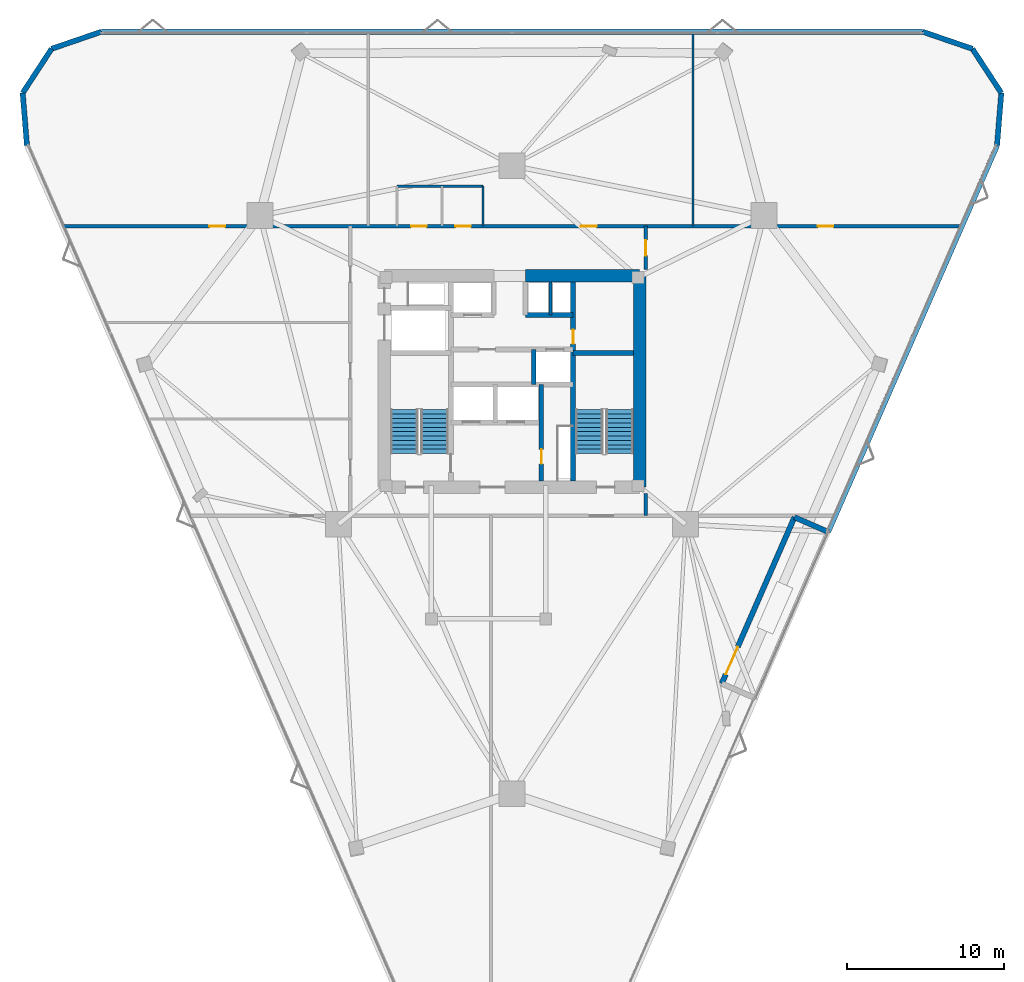
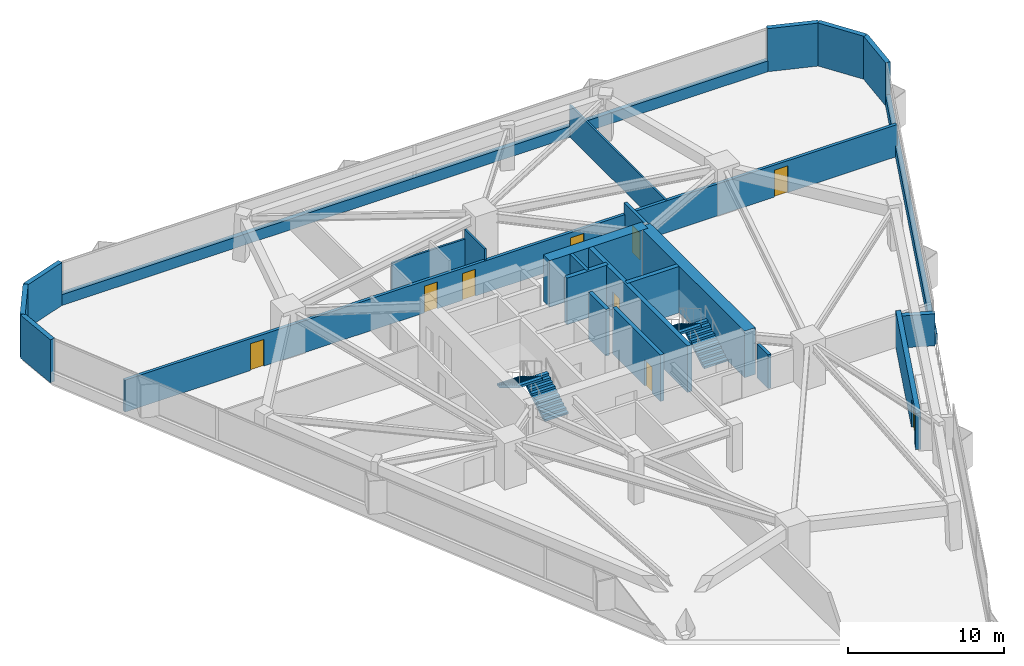
# One storey, part 13 of 14: 24 walls, 9 doors, 4 stair flights, 9 openings, 2 elements without a shape of their own.
"""IFC4 building model written with IfcOpenShell, lengths in metres."""

from ifc_helpers import new_model, si_unit, direction, frame, frame_2d, origin, place, context, subcontext, project, spatial, polyline, rectangle, outline, extrude, material, layer, layer_set, type_object, element, fill, aggregate, save


model = new_model("IFC4")

# Units and contexts
model_context = context("Model", 3, precision=1e-05, world=origin(), true_north=direction((0.0, 1.0)))
body_context = subcontext(model_context, "Body", "Model", "MODEL_VIEW")
ifc_project = project(units=[si_unit("LENGTHUNIT", "METRE"), si_unit("AREAUNIT", "SQUARE_METRE"), si_unit("VOLUMEUNIT", "CUBIC_METRE"), si_unit("PLANEANGLEUNIT", "RADIAN"), si_unit("MASSUNIT", "GRAM", prefix="KILO")], contexts=[model_context])

# Site, building, storey
site_placement = place(None, origin())
site = spatial("IfcSite", under=ifc_project, at=site_placement, CompositionType="ELEMENT")
building_placement = place(site_placement, origin())
building = spatial("IfcBuilding", under=site, at=building_placement, Name="Talyreon Biosciences Tower", CompositionType="ELEMENT")
storey_placement = place(building_placement, frame((0.0, 0.0, 96.89990234375)))
storey = spatial("IfcBuildingStorey", under=building, at=storey_placement, Name="L25", CompositionType="ELEMENT", Elevation=96.89990234375)

# Wall
ifc_material_1 = material(Name="Concrete C50/60", Category="concrete")
ifc_layer_1 = layer(ifc_material_1, 0.219970703125)
ifc_layer_set_1 = layer_set([ifc_layer_1], Name="Concrete C50/60")
wall_type_1 = type_object("IfcWallType", Name="CoreShearWall_220", PredefinedType="SHEAR", material=ifc_layer_set_1)
wall_1_placement = place(storey_placement, frame((68.4599609375, 72.25, 0.0), z_axis=(0.0, 0.0, 1.0), x_axis=(0.0, 1.0, 0.0)))
element("IfcWall", 1, at=wall_1_placement, inside=storey, type_object=wall_type_1, Name="L25 Core Shaft Wall SWPHD", PredefinedType="SHEAR", context=body_context, shape_type="SweptSolid", body=[
    extrude(rectangle(XDim=2.10009765625, YDim=0.219970703125, at=frame_2d((1.050048828125, 0.0))), origin(), (0.0, 0.0, 1.0), 3.650146484375),
])

# Wall, opening, door
ifc_layer_2 = layer(ifc_material_1, 0.280029296875)
ifc_layer_set_2 = layer_set([ifc_layer_2], Name="Concrete C50/60")
wall_type_2 = type_object("IfcWallType", Name="CoreShearWall_280", PredefinedType="SHEAR", material=ifc_layer_set_2)
wall_2_placement = place(storey_placement, frame((67.8798828125, 61.64990234375, 0.0), z_axis=(0.0, 0.0, 1.0), x_axis=(0.0, 1.0, 0.0)))
wall_2 = element("IfcWall", 2, at=wall_2_placement, inside=storey, type_object=wall_type_2, Name="L25 Core Shaft Wall SWFFE", PredefinedType="SHEAR", context=body_context, shape_type="SweptSolid", body=[
    extrude(rectangle(XDim=6.150146484375, YDim=0.280029296875, at=frame_2d((3.0751953125, 0.0))), origin(), (0.0, 0.0, 1.0), 3.650146484375),
])
opening_1_placement = place(wall_2_placement, frame((1.10009765625, 0.0, 0.0)))
opening_1 = element("IfcOpeningElement", 3, at=opening_1_placement, cuts=wall_2, Name="Opening DR-L25-RSE", PredefinedType="OPENING", context=body_context, shape_type="SweptSolid", body=[
    extrude(rectangle(XDim=0.919921875, YDim=2.050048828125, at=frame_2d((0.4599609375, 1.02490234375))), frame((0.0, 0.14990234375, 0.0), z_axis=(0.0, -1.0, 0.0), x_axis=(1.0, 0.0, 0.0)), (0.0, 0.0, 1.0), 0.300048828125),
])
ifc_material_2 = material(Name="Painted steel fire-rated riser door", Category="steel")
door_type_1 = type_object("IfcDoorType", Name="RiserPlantAccessDoor_920x2050", OperationType="NOTDEFINED", PredefinedType="DOOR", material=ifc_material_2)
door_1_placement = place(opening_1_placement, origin())
door_1 = element("IfcDoor", 4, at=door_1_placement, inside=storey, type_object=door_type_1, Name="L25 Core Door DR-L25-RSE", OperationType="SINGLE_SWING_RIGHT", OverallHeight=2.050048828125, OverallWidth=0.919921875, PredefinedType="DOOR", context=body_context, shape_type="SweptSolid", body=[
    extrude(rectangle(XDim=0.919921875, YDim=2.050048828125, at=frame_2d((0.4599609375, 1.02490234375))), frame((0.0, 0.02490234375, 0.0), z_axis=(0.0, -1.0, 0.0), x_axis=(1.0, 0.0, 0.0)), (0.0, 0.0, 1.0), 0.050048828125),
])
fill(opening_1, door_1)

# Wall
wall_3_placement = place(storey_placement, frame((67.3798828125, 67.800048828125, 0.0), z_axis=(0.0, 0.0, 1.0), x_axis=(0.0, 1.0, 0.0)))
element("IfcWall", 5, at=wall_3_placement, inside=storey, type_object=wall_type_2, Name="L25 Core Shaft Wall SWPMD", PredefinedType="SHEAR", context=body_context, shape_type="SweptSolid", body=[
    extrude(rectangle(XDim=2.25, YDim=0.280029296875, at=frame_2d((1.125, 0.0))), origin(), (0.0, 0.0, 1.0), 3.650146484375),
])

# Wall, opening, door
ifc_layer_3 = layer(ifc_material_1, 0.320068359375)
ifc_layer_set_3 = layer_set([ifc_layer_3], Name="Concrete C50/60")
wall_type_3 = type_object("IfcWallType", Name="CoreShearWall_320", PredefinedType="SHEAR", material=ifc_layer_set_3)
wall_4_placement = place(storey_placement, frame((69.909912109375, 61.64990234375, 0.0), z_axis=(0.0, 0.0, 1.0), x_axis=(0.0, 1.0, 0.0)))
wall_4 = element("IfcWall", 6, at=wall_4_placement, inside=storey, type_object=wall_type_3, Name="L25 Core Shaft Wall SW2W", PredefinedType="SHEAR", context=body_context, shape_type="SweptSolid", body=[
    extrude(rectangle(XDim=12.7001953125, YDim=0.320068359375, at=frame_2d((6.35009765625, 0.0))), origin(), (0.0, 0.0, 1.0), 3.650146484375),
])
opening_2_placement = place(wall_4_placement, frame((8.75, 0.0, 0.0)))
opening_2 = element("IfcOpeningElement", 7, at=opening_2_placement, cuts=wall_4, Name="Opening DR-L25-CSRV", PredefinedType="OPENING", context=body_context, shape_type="SweptSolid", body=[
    extrude(rectangle(XDim=0.919921875, YDim=2.050048828125, at=frame_2d((0.4599609375, 1.02490234375))), frame((0.0, 0.169921875, 0.0), z_axis=(0.0, -1.0, 0.0), x_axis=(1.0, 0.0, 0.0)), (0.0, 0.0, 1.0), 0.340087890625),
])
door_2_placement = place(opening_2_placement, origin())
door_2 = element("IfcDoor", 8, at=door_2_placement, inside=storey, type_object=door_type_1, Name="L25 Core Door DR-L25-CSRV", OperationType="SINGLE_SWING_RIGHT", OverallHeight=2.050048828125, OverallWidth=0.919921875, PredefinedType="DOOR", context=body_context, shape_type="SweptSolid", body=[
    extrude(rectangle(XDim=0.919921875, YDim=2.050048828125, at=frame_2d((0.4599609375, 1.02490234375))), frame((0.0, 0.02490234375, 0.0), z_axis=(0.0, -1.0, 0.0), x_axis=(1.0, 0.0, 0.0)), (0.0, 0.0, 1.0), 0.050048828125),
])
fill(opening_2, door_2)

# Walls
wall_5_placement = place(storey_placement, frame((69.909912109375, 69.81005859375, 0.0), z_axis=(0.0, 0.0, 1.0), x_axis=(1.0, 0.0, 0.0)))
element("IfcWall", 9, at=wall_5_placement, inside=storey, type_object=wall_type_3, Name="L25 Core Shaft Wall SW2N", PredefinedType="SHEAR", context=body_context, shape_type="SweptSolid", body=[
    extrude(rectangle(XDim=3.840087890625, YDim=0.320068359375, at=frame_2d((1.919921875, 0.0))), origin(), (0.0, 0.0, 1.0), 3.650146484375),
])
wall_6_placement = place(storey_placement, frame((66.85009765625, 72.25, 0.0), z_axis=(0.0, 0.0, 1.0), x_axis=(1.0, 0.0, 0.0)))
element("IfcWall", 10, at=wall_6_placement, inside=storey, type_object=wall_type_3, Name="L25 Core Shaft Wall SWNPE", PredefinedType="SHEAR", context=body_context, shape_type="SweptSolid", body=[
    extrude(rectangle(XDim=3.059814453125, YDim=0.320068359375, at=frame_2d((1.52978515625, 0.0))), origin(), (0.0, 0.0, 1.0), 3.650146484375),
])
ifc_material_3 = material(Name="Concrete C60/75", Category="concrete")
ifc_layer_4 = layer(ifc_material_3, 0.800048828125)
ifc_layer_set_4 = layer_set([ifc_layer_4], Name="Concrete C60/75")
wall_type_4 = type_object("IfcWallType", Name="CoreShearWall_800", PredefinedType="SHEAR", material=ifc_layer_set_4)
wall_7_placement = place(storey_placement, frame((74.14990234375, 61.25, 0.0), z_axis=(0.0, 0.0, 1.0), x_axis=(0.0, 1.0, 0.0)))
element("IfcWall", 11, at=wall_7_placement, inside=storey, type_object=wall_type_4, Name="L25 Core Shear Wall E", PredefinedType="SHEAR", context=body_context, shape_type="SweptSolid", body=[
    extrude(rectangle(XDim=13.5, YDim=0.800048828125, at=frame_2d((6.75, 0.0))), origin(), (0.0, 0.0, 1.0), 3.650146484375),
])
wall_8_placement = place(storey_placement, frame((74.14990234375, 74.75, 0.0), z_axis=(0.0, 0.0, 1.0), x_axis=(-1.0, 0.0, 0.0)))
element("IfcWall", 12, at=wall_8_placement, inside=storey, type_object=wall_type_4, Name="L25 Core Shear Wall NE", PredefinedType="SHEAR", context=body_context, shape_type="SweptSolid", body=[
    extrude(rectangle(XDim=7.2998046875, YDim=0.800048828125, at=frame_2d((3.64990234375, 0.0))), origin(), (0.0, 0.0, 1.0), 3.650146484375),
])

# Wall, openings, doors
ifc_material_4 = material(Name="Gypsum fireboard acoustic stud", Category="gypsum")
ifc_layer_5 = layer(ifc_material_4, 0.219970703125)
ifc_layer_set_5 = layer_set([ifc_layer_5], Name="Gypsum fireboard acoustic stud")
wall_type_5 = type_object("IfcWallType", Name="CorridorRatedPartition_220", PredefinedType="PARTITIONING", material=ifc_layer_set_5)
wall_9_placement = place(storey_placement, frame((37.35595703125, 77.929931640625, 0.0), z_axis=(0.0, 0.0, 1.0), x_axis=(1.0, 0.0, 0.0)))
wall_9 = element("IfcWall", 13, at=wall_9_placement, inside=storey, type_object=wall_type_5, Name="L25 Interior Wall IW-L25-COR-N", PredefinedType="PARTITIONING", context=body_context, shape_type="SweptSolid", body=[
    extrude(rectangle(XDim=57.2880859375, YDim=0.219970703125, at=frame_2d((28.64404296875, 0.0))), origin(), (0.0, 0.0, 1.0), 2.505126953125),
])
opening_3_placement = place(wall_9_placement, frame((22.2041015625, 0.0, 0.0)))
opening_3 = element("IfcOpeningElement", 14, at=opening_3_placement, cuts=wall_9, Name="Opening DR-L25-WC", PredefinedType="OPENING", context=body_context, shape_type="SweptSolid", body=[
    extrude(rectangle(XDim=0.97998046875, YDim=2.10009765625, at=frame_2d((0.489990234375, 1.050048828125))), frame((0.0, 0.119873046875, 0.0), z_axis=(0.0, -1.0, 0.0), x_axis=(1.0, 0.0, 0.0)), (0.0, 0.0, 1.0), 0.239990234375),
])
opening_4_placement = place(wall_9_placement, frame((25.029052734375, 0.0, 0.0)))
opening_4 = element("IfcOpeningElement", 15, at=opening_4_placement, cuts=wall_9, Name="Opening DR-L25-AWC", PredefinedType="OPENING", context=body_context, shape_type="SweptSolid", body=[
    extrude(rectangle(XDim=0.97998046875, YDim=2.10009765625, at=frame_2d((0.489990234375, 1.050048828125))), frame((0.0, 0.119873046875, 0.0), z_axis=(0.0, -1.0, 0.0), x_axis=(1.0, 0.0, 0.0)), (0.0, 0.0, 1.0), 0.239990234375),
])
opening_5_placement = place(wall_9_placement, frame((9.31103515625, 0.0, 0.0)))
opening_5 = element("IfcOpeningElement", 16, at=opening_5_placement, cuts=wall_9, Name="Opening DR-L25-N1A", PredefinedType="OPENING", context=body_context, shape_type="SweptSolid", body=[
    extrude(rectangle(XDim=1.0, YDim=2.10009765625, at=frame_2d((0.5, 1.050048828125))), frame((0.0, 0.119873046875, 0.0), z_axis=(0.0, -1.0, 0.0), x_axis=(1.0, 0.0, 0.0)), (0.0, 0.0, 1.0), 0.239990234375),
])
opening_6_placement = place(wall_9_placement, frame((33.044921875, 0.0, 0.0)))
opening_6 = element("IfcOpeningElement", 17, at=opening_6_placement, cuts=wall_9, Name="Opening DR-L25-N2A", PredefinedType="OPENING", context=body_context, shape_type="SweptSolid", body=[
    extrude(rectangle(XDim=1.0, YDim=2.10009765625, at=frame_2d((0.5, 1.050048828125))), frame((0.0, 0.119873046875, 0.0), z_axis=(0.0, -1.0, 0.0), x_axis=(1.0, 0.0, 0.0)), (0.0, 0.0, 1.0), 0.239990234375),
])
opening_7_placement = place(wall_9_placement, frame((48.177001953125, 0.0, 0.0)))
opening_7 = element("IfcOpeningElement", 18, at=opening_7_placement, cuts=wall_9, Name="Opening DR-L25-N3A", PredefinedType="OPENING", context=body_context, shape_type="SweptSolid", body=[
    extrude(rectangle(XDim=1.0, YDim=2.10009765625, at=frame_2d((0.5, 1.050048828125))), frame((0.0, 0.119873046875, 0.0), z_axis=(0.0, -1.0, 0.0), x_axis=(1.0, 0.0, 0.0)), (0.0, 0.0, 1.0), 0.239990234375),
])
ifc_material_5 = material(Name="Laminate moisture-resistant door", Category="wood")
door_type_2 = type_object("IfcDoorType", Name="AccessibleToiletDoor_980x2100", OperationType="NOTDEFINED", PredefinedType="DOOR", material=ifc_material_5)
door_3_placement = place(opening_3_placement, origin())
door_3 = element("IfcDoor", 19, at=door_3_placement, inside=storey, type_object=door_type_2, Name="L25 Interior Door DR-L25-WC", OperationType="SINGLE_SWING_LEFT", OverallHeight=2.10009765625, OverallWidth=0.97998046875, PredefinedType="DOOR", context=body_context, shape_type="SweptSolid", body=[
    extrude(rectangle(XDim=0.97998046875, YDim=2.10009765625, at=frame_2d((0.489990234375, 1.050048828125))), frame((0.0, 0.02490234375, 0.0), z_axis=(0.0, -1.0, 0.0), x_axis=(1.0, 0.0, 0.0)), (0.0, 0.0, 1.0), 0.050048828125),
])
fill(opening_3, door_3)
door_4_placement = place(opening_4_placement, origin())
door_4 = element("IfcDoor", 20, at=door_4_placement, inside=storey, type_object=door_type_2, Name="L25 Interior Door DR-L25-AWC", OperationType="SINGLE_SWING_LEFT", OverallHeight=2.10009765625, OverallWidth=0.97998046875, PredefinedType="DOOR", context=body_context, shape_type="SweptSolid", body=[
    extrude(rectangle(XDim=0.97998046875, YDim=2.10009765625, at=frame_2d((0.489990234375, 1.050048828125))), frame((0.0, 0.02490234375, 0.0), z_axis=(0.0, -1.0, 0.0), x_axis=(1.0, 0.0, 0.0)), (0.0, 0.0, 1.0), 0.050048828125),
])
fill(opening_4, door_4)
ifc_material_6 = material(Name="Acoustic oak veneer office door", Category="wood")
door_type_3 = type_object("IfcDoorType", Name="WriteupOfficeDoor_1000x2100", OperationType="NOTDEFINED", PredefinedType="DOOR", material=ifc_material_6)
door_5_placement = place(opening_5_placement, origin())
door_5 = element("IfcDoor", 21, at=door_5_placement, inside=storey, type_object=door_type_3, Name="L25 Interior Door DR-L25-N1A", OperationType="SINGLE_SWING_LEFT", OverallHeight=2.10009765625, OverallWidth=1.0, PredefinedType="DOOR", context=body_context, shape_type="SweptSolid", body=[
    extrude(rectangle(XDim=1.0, YDim=2.10009765625, at=frame_2d((0.5, 1.050048828125))), frame((0.0, 0.02490234375, 0.0), z_axis=(0.0, -1.0, 0.0), x_axis=(1.0, 0.0, 0.0)), (0.0, 0.0, 1.0), 0.050048828125),
])
fill(opening_5, door_5)
door_6_placement = place(opening_6_placement, origin())
door_6 = element("IfcDoor", 22, at=door_6_placement, inside=storey, type_object=door_type_3, Name="L25 Interior Door DR-L25-N2A", OperationType="SINGLE_SWING_LEFT", OverallHeight=2.10009765625, OverallWidth=1.0, PredefinedType="DOOR", context=body_context, shape_type="SweptSolid", body=[
    extrude(rectangle(XDim=1.0, YDim=2.10009765625, at=frame_2d((0.5, 1.050048828125))), frame((0.0, 0.02490234375, 0.0), z_axis=(0.0, -1.0, 0.0), x_axis=(1.0, 0.0, 0.0)), (0.0, 0.0, 1.0), 0.050048828125),
])
fill(opening_6, door_6)
door_7_placement = place(opening_7_placement, origin())
door_7 = element("IfcDoor", 23, at=door_7_placement, inside=storey, type_object=door_type_3, Name="L25 Interior Door DR-L25-N3A", OperationType="SINGLE_SWING_LEFT", OverallHeight=2.10009765625, OverallWidth=1.0, PredefinedType="DOOR", context=body_context, shape_type="SweptSolid", body=[
    extrude(rectangle(XDim=1.0, YDim=2.10009765625, at=frame_2d((0.5, 1.050048828125))), frame((0.0, 0.02490234375, 0.0), z_axis=(0.0, -1.0, 0.0), x_axis=(1.0, 0.0, 0.0)), (0.0, 0.0, 1.0), 0.050048828125),
])
fill(opening_7, door_7)

# Wall, opening, door
wall_10_placement = place(storey_placement, frame((74.550048828125, 75.14990234375, 0.0), z_axis=(0.0, 0.0, 1.0), x_axis=(0.0, 1.0, 0.0)))
wall_10 = element("IfcWall", 24, at=wall_10_placement, inside=storey, type_object=wall_type_5, Name="L25 Interior Wall IW-L25-ECAP-N", PredefinedType="PARTITIONING", context=body_context, shape_type="SweptSolid", body=[
    extrude(rectangle(XDim=2.780029296875, YDim=0.219970703125, at=frame_2d((1.39013671875, 0.0))), origin(), (0.0, 0.0, 1.0), 3.375),
])
opening_8_placement = place(wall_10_placement, frame((0.889892578125, 0.0, 0.0)))
opening_8 = element("IfcOpeningElement", 25, at=opening_8_placement, cuts=wall_10, Name="Opening DR-L25-E1A", PredefinedType="OPENING", context=body_context, shape_type="SweptSolid", body=[
    extrude(rectangle(XDim=1.0, YDim=2.10009765625, at=frame_2d((0.5, 1.050048828125))), frame((0.0, 0.119873046875, 0.0), z_axis=(0.0, -1.0, 0.0), x_axis=(1.0, 0.0, 0.0)), (0.0, 0.0, 1.0), 0.239990234375),
])
door_8_placement = place(opening_8_placement, origin())
door_8 = element("IfcDoor", 26, at=door_8_placement, inside=storey, type_object=door_type_3, Name="L25 Interior Door DR-L25-E1A", OperationType="SINGLE_SWING_LEFT", OverallHeight=2.10009765625, OverallWidth=1.0, PredefinedType="DOOR", context=body_context, shape_type="SweptSolid", body=[
    extrude(rectangle(XDim=1.0, YDim=2.10009765625, at=frame_2d((0.5, 1.050048828125))), frame((0.0, 0.02490234375, 0.0), z_axis=(0.0, -1.0, 0.0), x_axis=(1.0, 0.0, 0.0)), (0.0, 0.0, 1.0), 0.050048828125),
])
fill(opening_8, door_8)

# Walls
wall_11_placement = place(storey_placement, frame((74.550048828125, 59.429931640625, 0.0), z_axis=(0.0, 0.0, 1.0), x_axis=(0.0, 1.0, 0.0)))
element("IfcWall", 27, at=wall_11_placement, inside=storey, type_object=wall_type_5, Name="L25 Interior Wall IW-L25-ECAP-S", PredefinedType="PARTITIONING", context=body_context, shape_type="SweptSolid", body=[
    extrude(rectangle(XDim=1.420166015625, YDim=0.219970703125, at=frame_2d((0.7099609375, 0.0))), origin(), (0.0, 0.0, 1.0), 2.655029296875),
])
ifc_material_7 = material(Name="Gypsum acoustic stud partition", Category="gypsum")
ifc_layer_6 = layer(ifc_material_7, 0.1298828125)
ifc_layer_set_6 = layer_set([ifc_layer_6], Name="Gypsum acoustic stud partition")
wall_type_6 = type_object("IfcWallType", Name="OfficeWriteupPartition_130", PredefinedType="PARTITIONING", material=ifc_layer_set_6)
wall_12_placement = place(storey_placement, frame((77.572021484375, 77.929931640625, 0.0), z_axis=(0.0, 0.0, 1.0), x_axis=(0.0, 1.0, 0.0)))
element("IfcWall", 28, at=wall_12_placement, inside=storey, type_object=wall_type_6, Name="L25 Interior Wall IW-L25-NDIV2", PredefinedType="PARTITIONING", context=body_context, shape_type="SweptSolid", body=[
    extrude(rectangle(XDim=12.338623046875, YDim=0.1298828125, at=frame_2d((6.16943359375, 0.0))), origin(), (0.0, 0.0, 1.0), 2.505126953125),
])
ifc_material_8 = material(Name="Precast concrete C45/55", Category="concrete")
ifc_layer_7 = layer(ifc_material_8, 0.340087890625)
ifc_layer_set_7 = layer_set([ifc_layer_7], Name="Precast concrete C45/55")
wall_type_7 = type_object("IfcWallType", Name="PrecastConcreteSpandrelWall_340", PredefinedType="STANDARD", material=ifc_layer_set_7)
wall_13_placement = place(storey_placement, frame((35.01611328125, 83.070556640625, 0.0), z_axis=(0.0, 0.0, 1.0), x_axis=(-0.08153066917, 0.996670833317, 0.0)))
element("IfcWall", 29, at=wall_13_placement, inside=storey, type_object=wall_type_7, Name="L25 Rounded-Corner Concrete Pier 00", PredefinedType="STANDARD", context=body_context, shape_type="SweptSolid", body=[
    extrude(rectangle(XDim=3.374755859375, YDim=0.340087890625, at=frame_2d((1.6875, 0.0))), origin(), (0.0, 0.0, 1.0), 3.375),
])
wall_14_placement = place(storey_placement, frame((34.740966796875, 86.43408203125, 0.0), z_axis=(0.0, 0.0, 1.0), x_axis=(0.547467638162, 0.83682685495, 0.0)))
element("IfcWall", 30, at=wall_14_placement, inside=storey, type_object=wall_type_7, Name="L25 Rounded-Corner Concrete Pier 01", PredefinedType="STANDARD", context=body_context, shape_type="SweptSolid", body=[
    extrude(rectangle(XDim=3.375, YDim=0.340087890625, at=frame_2d((1.6875, 0.0))), origin(), (0.0, 0.0, 1.0), 3.375),
])
wall_15_placement = place(storey_placement, frame((36.588623046875, 89.25830078125, 0.0), z_axis=(0.0, 0.0, 1.0), x_axis=(0.945876171039, 0.324527763157, 0.0)))
element("IfcWall", 31, at=wall_15_placement, inside=storey, type_object=wall_type_7, Name="L25 Rounded-Corner Concrete Pier 02", PredefinedType="STANDARD", context=body_context, shape_type="SweptSolid", body=[
    extrude(rectangle(XDim=3.374755859375, YDim=0.340087890625, at=frame_2d((1.6875, 0.0))), origin(), (0.0, 0.0, 1.0), 3.375),
])
wall_16_placement = place(storey_placement, frame((39.78076171875, 90.353515625, 0.0), z_axis=(0.0, 0.0, 1.0), x_axis=(1.0, 0.0, 0.0)))
element("IfcWall", 32, at=wall_16_placement, inside=storey, type_object=wall_type_7, Name="L25 Expressed Concrete Sill Wall 03", PredefinedType="STANDARD", context=body_context, shape_type="SweptSolid", body=[
    extrude(rectangle(XDim=52.4384765625, YDim=0.340087890625, at=frame_2d((26.21923828125, 0.0))), origin(), (0.0, 0.0, 1.0), 0.85009765625),
])
wall_17_placement = place(storey_placement, frame((92.21923828125, 90.353515625, 0.0), z_axis=(0.0, 0.0, 1.0), x_axis=(0.945876171039, -0.324527763157, 0.0)))
element("IfcWall", 33, at=wall_17_placement, inside=storey, type_object=wall_type_7, Name="L25 Rounded-Corner Concrete Pier 04", PredefinedType="STANDARD", context=body_context, shape_type="SweptSolid", body=[
    extrude(rectangle(XDim=3.374755859375, YDim=0.340087890625, at=frame_2d((1.6875, 0.0))), origin(), (0.0, 0.0, 1.0), 3.375),
])
wall_18_placement = place(storey_placement, frame((95.411376953125, 89.25830078125, 0.0), z_axis=(0.0, 0.0, 1.0), x_axis=(0.547467638162, -0.83682685495, 0.0)))
element("IfcWall", 34, at=wall_18_placement, inside=storey, type_object=wall_type_7, Name="L25 Rounded-Corner Concrete Pier 05", PredefinedType="STANDARD", context=body_context, shape_type="SweptSolid", body=[
    extrude(rectangle(XDim=3.375, YDim=0.340087890625, at=frame_2d((1.6875, 0.0))), origin(), (0.0, 0.0, 1.0), 3.375),
])
wall_19_placement = place(storey_placement, frame((97.259033203125, 86.43408203125, 0.0), z_axis=(0.0, 0.0, 1.0), x_axis=(-0.08153066917, -0.996670833317, 0.0)))
element("IfcWall", 35, at=wall_19_placement, inside=storey, type_object=wall_type_7, Name="L25 Rounded-Corner Concrete Pier 06", PredefinedType="STANDARD", context=body_context, shape_type="SweptSolid", body=[
    extrude(rectangle(XDim=3.374755859375, YDim=0.340087890625, at=frame_2d((1.6875, 0.0))), origin(), (0.0, 0.0, 1.0), 3.375),
])
wall_20_placement = place(storey_placement, frame((96.98388671875, 83.070556640625, 0.0), z_axis=(0.0, 0.0, 1.0), x_axis=(-0.400539645754, -0.916279429093, 0.0)))
element("IfcWall", 36, at=wall_20_placement, inside=storey, type_object=wall_type_7, Name="L25 Expressed Concrete Sill Wall 07", PredefinedType="STANDARD", context=body_context, shape_type="SweptSolid", body=[
    extrude(rectangle(XDim=26.9296875, YDim=0.340087890625, at=frame_2d((13.46484375, 0.0))), origin(), (0.0, 0.0, 1.0), 0.85009765625),
])
wall_21_placement = place(storey_placement, frame((86.197509765625, 58.3955078125, 0.0), z_axis=(0.0, 0.0, 1.0), x_axis=(-0.916262209943, 0.400579034188, 0.0)))
element("IfcWall", 37, at=wall_21_placement, inside=storey, type_object=wall_type_7, Name="L25 Terrace Backing Concrete Wall 08", PredefinedType="STANDARD", context=body_context, shape_type="SweptSolid", body=[
    extrude(rectangle(XDim=2.35009765625, YDim=0.340087890625, at=frame_2d((1.175048828125, 0.0))), origin(), (0.0, 0.0, 1.0), 2.505126953125),
])

# Wall, opening, door
wall_22_placement = place(storey_placement, frame((84.044189453125, 59.3369140625, 0.0), z_axis=(0.0, 0.0, 1.0), x_axis=(-0.400536170639, -0.916280948187, 0.0)))
wall_22 = element("IfcWall", 38, at=wall_22_placement, inside=storey, type_object=wall_type_7, Name="L25 Terrace Backing Concrete Wall 09", PredefinedType="STANDARD", context=body_context, shape_type="SweptSolid", body=[
    extrude(rectangle(XDim=11.60009765625, YDim=0.340087890625, at=frame_2d((5.800048828125, 0.0))), origin(), (0.0, 0.0, 1.0), 2.85498046875),
])
opening_9_placement = place(wall_22_placement, frame((9.050048828125, 0.0, 0.0)))
opening_9 = element("IfcOpeningElement", 39, at=opening_9_placement, cuts=wall_22, Name="Opening D04", PredefinedType="OPENING", context=body_context, shape_type="SweptSolid", body=[
    extrude(rectangle(XDim=1.89990234375, YDim=2.300048828125, at=frame_2d((0.949951171875, 1.14990234375))), frame((0.0, 0.179931640625, 0.0), z_axis=(0.0, -1.0, 0.0), x_axis=(1.0, 0.0, 0.0)), (0.0, 0.0, 1.0), 0.360107421875),
])
ifc_material_9 = material(Name="Thermally broken low-E glazed terrace door", Category="aluminium")
door_type_4 = type_object("IfcDoorType", Name="SkyGardenTerraceDoubleDoor_1900x2300", OperationType="DOUBLE_DOOR_SINGLE_SWING", PredefinedType="DOOR", material=ifc_material_9)
door_9_placement = place(opening_9_placement, origin())
door_9 = element("IfcDoor", 40, at=door_9_placement, inside=storey, type_object=door_type_4, Name="L25 Outdoor Terrace Access Door 09", OperationType="DOUBLE_DOOR_SINGLE_SWING", OverallHeight=2.300048828125, OverallWidth=1.89990234375, PredefinedType="DOOR", context=body_context, shape_type="SweptSolid", body=[
    extrude(rectangle(XDim=1.89990234375, YDim=2.300048828125, at=frame_2d((0.949951171875, 1.14990234375))), frame((0.0, 0.02490234375, 0.0), z_axis=(0.0, -1.0, 0.0), x_axis=(1.0, 0.0, 0.0)), (0.0, 0.0, 1.0), 0.050048828125),
])
fill(opening_9, door_9)

# Walls
ifc_material_10 = material(Name="Moisture-resistant cement-board stud", Category="gypsum")
ifc_layer_8 = layer(ifc_material_10, 0.14501953125)
ifc_layer_set_8 = layer_set([ifc_layer_8], Name="Moisture-resistant cement-board stud")
wall_type_8 = type_object("IfcWallType", Name="WetRoomPartition_145", PredefinedType="PARTITIONING", material=ifc_layer_set_8)
wall_23_placement = place(storey_placement, frame((64.14990234375, 77.929931640625, 0.0), z_axis=(0.0, 0.0, 1.0), x_axis=(0.0, 1.0, 0.0)))
element("IfcWall", 41, at=wall_23_placement, inside=storey, type_object=wall_type_8, Name="L25 Interior Wall IW-L25-WCR", PredefinedType="PARTITIONING", context=body_context, shape_type="SweptSolid", body=[
    extrude(rectangle(XDim=2.550048828125, YDim=0.14501953125, at=frame_2d((1.27490234375, 0.0))), origin(), (0.0, 0.0, 1.0), 3.375),
])
wall_24_placement = place(storey_placement, frame((58.64990234375, 80.47998046875, 0.0), z_axis=(0.0, 0.0, 1.0), x_axis=(1.0, 0.0, 0.0)))
element("IfcWall", 42, at=wall_24_placement, inside=storey, type_object=wall_type_8, Name="L25 Interior Wall IW-L25-WCT", PredefinedType="PARTITIONING", context=body_context, shape_type="SweptSolid", body=[
    extrude(rectangle(XDim=5.5, YDim=0.14501953125, at=frame_2d((2.75, 0.0))), origin(), (0.0, 0.0, 1.0), 2.655029296875),
])

# Stair, stair flights
ifc_material_11 = material(Name="Concrete C40/50", Category="concrete")
stair_type = type_object("IfcStairType", Name="DoglegEscapeStair_3650", PredefinedType="HALF_TURN_STAIR", material=ifc_material_11)
stair_1_placement = place(storey_placement, origin())
stair_1 = element("IfcStair", 43, at=stair_1_placement, inside=storey, type_object=stair_type, Name="L25 Core Escape Stair 1", PredefinedType="HALF_TURN_STAIR")
stair_flight_type = type_object("IfcStairFlightType", Name="PrecastStairFlight_3650", PredefinedType="STRAIGHT", material=ifc_material_11)
stair_flight_1_placement = place(storey_placement, frame((61.06005859375, 63.39990234375, 0.0), z_axis=(0.0, 0.0, 1.0), x_axis=(0.0, 1.0, 0.0)))
stair_flight_1 = element("IfcStairFlight", 44, at=stair_flight_1_placement, type_object=stair_flight_type, Name="ST-1 flight 1", NumberOfRisers=11, NumberOfTreads=10, PredefinedType="STRAIGHT", RiserHeight=0.165909091, TreadLength=0.28, context=body_context, shape_type="SweptSolid", body=[
    extrude(outline(polyline([(0.0, 0.0), (0.0, 0.166015625), (0.280029296875, 0.166015625), (0.280029296875, 0.331787109375), (0.56005859375, 0.331787109375), (0.56005859375, 0.497802734375), (0.840087890625, 0.497802734375), (0.840087890625, 0.66357421875), (1.1201171875, 0.66357421875), (1.1201171875, 0.82958984375), (1.39990234375, 0.82958984375), (1.39990234375, 0.995361328125), (1.679931640625, 0.995361328125), (1.679931640625, 1.161376953125), (1.9599609375, 1.161376953125), (1.9599609375, 1.327392578125), (2.239990234375, 1.327392578125), (2.239990234375, 1.4931640625), (2.52001953125, 1.4931640625), (2.52001953125, 1.6591796875), (2.800048828125, 1.6591796875), (2.800048828125, 1.824951171875), (2.800048828125, 1.48486328125), (0.2939453125, 0.0), (0.0, 0.0)])), frame((0.0, 0.8701171875, 0.0), z_axis=(0.0, -1.0, 0.0), x_axis=(1.0, 0.0, 0.0)), (0.0, 0.0, 1.0), 1.739990234375),
])
stair_flight_2_placement = place(storey_placement, frame((59.1201171875, 66.199951171875, 1.8251953125), z_axis=(0.0, 0.0, 1.0), x_axis=(0.0, -1.0, 0.0)))
stair_flight_2 = element("IfcStairFlight", 45, at=stair_flight_2_placement, type_object=stair_flight_type, Name="ST-1 flight 2", NumberOfRisers=11, NumberOfTreads=10, PredefinedType="STRAIGHT", RiserHeight=0.165909091, TreadLength=0.28, context=body_context, shape_type="SweptSolid", body=[
    extrude(outline(polyline([(0.0, 0.0), (0.0, 0.166015625), (0.280029296875, 0.166015625), (0.280029296875, 0.331787109375), (0.56005859375, 0.331787109375), (0.56005859375, 0.497802734375), (0.840087890625, 0.497802734375), (0.840087890625, 0.66357421875), (1.1201171875, 0.66357421875), (1.1201171875, 0.82958984375), (1.39990234375, 0.82958984375), (1.39990234375, 0.995361328125), (1.679931640625, 0.995361328125), (1.679931640625, 1.161376953125), (1.9599609375, 1.161376953125), (1.9599609375, 1.327392578125), (2.239990234375, 1.327392578125), (2.239990234375, 1.4931640625), (2.52001953125, 1.4931640625), (2.52001953125, 1.6591796875), (2.800048828125, 1.6591796875), (2.800048828125, 1.824951171875), (2.800048828125, 1.48486328125), (0.2939453125, 0.0), (0.0, 0.0)])), frame((0.0, 0.8701171875, 0.0), z_axis=(0.0, -1.0, 0.0), x_axis=(1.0, 0.0, 0.0)), (0.0, 0.0, 1.0), 1.739990234375),
])
aggregate(stair_1, [stair_flight_1, stair_flight_2])

stair_2_placement = place(storey_placement, origin())
stair_2 = element("IfcStair", 46, at=stair_2_placement, inside=storey, type_object=stair_type, Name="L25 Core Escape Stair 2", PredefinedType="HALF_TURN_STAIR")
stair_flight_3_placement = place(storey_placement, frame((72.8798828125, 63.39990234375, 0.0), z_axis=(0.0, 0.0, 1.0), x_axis=(0.0, 1.0, 0.0)))
stair_flight_3 = element("IfcStairFlight", 47, at=stair_flight_3_placement, type_object=stair_flight_type, Name="ST-2 flight 1", NumberOfRisers=11, NumberOfTreads=10, PredefinedType="STRAIGHT", RiserHeight=0.165909091, TreadLength=0.28, context=body_context, shape_type="SweptSolid", body=[
    extrude(outline(polyline([(0.0, 0.0), (0.0, 0.166015625), (0.280029296875, 0.166015625), (0.280029296875, 0.331787109375), (0.56005859375, 0.331787109375), (0.56005859375, 0.497802734375), (0.840087890625, 0.497802734375), (0.840087890625, 0.66357421875), (1.1201171875, 0.66357421875), (1.1201171875, 0.82958984375), (1.39990234375, 0.82958984375), (1.39990234375, 0.995361328125), (1.679931640625, 0.995361328125), (1.679931640625, 1.161376953125), (1.9599609375, 1.161376953125), (1.9599609375, 1.327392578125), (2.239990234375, 1.327392578125), (2.239990234375, 1.4931640625), (2.52001953125, 1.4931640625), (2.52001953125, 1.6591796875), (2.800048828125, 1.6591796875), (2.800048828125, 1.824951171875), (2.800048828125, 1.48486328125), (0.2939453125, 0.0), (0.0, 0.0)])), frame((0.0, 0.8701171875, 0.0), z_axis=(0.0, -1.0, 0.0), x_axis=(1.0, 0.0, 0.0)), (0.0, 0.0, 1.0), 1.739990234375),
])
stair_flight_4_placement = place(storey_placement, frame((70.93994140625, 66.199951171875, 1.8251953125), z_axis=(0.0, 0.0, 1.0), x_axis=(0.0, -1.0, 0.0)))
stair_flight_4 = element("IfcStairFlight", 48, at=stair_flight_4_placement, type_object=stair_flight_type, Name="ST-2 flight 2", NumberOfRisers=11, NumberOfTreads=10, PredefinedType="STRAIGHT", RiserHeight=0.165909091, TreadLength=0.28, context=body_context, shape_type="SweptSolid", body=[
    extrude(outline(polyline([(0.0, 0.0), (0.0, 0.166015625), (0.280029296875, 0.166015625), (0.280029296875, 0.331787109375), (0.56005859375, 0.331787109375), (0.56005859375, 0.497802734375), (0.840087890625, 0.497802734375), (0.840087890625, 0.66357421875), (1.1201171875, 0.66357421875), (1.1201171875, 0.82958984375), (1.39990234375, 0.82958984375), (1.39990234375, 0.995361328125), (1.679931640625, 0.995361328125), (1.679931640625, 1.161376953125), (1.9599609375, 1.161376953125), (1.9599609375, 1.327392578125), (2.239990234375, 1.327392578125), (2.239990234375, 1.4931640625), (2.52001953125, 1.4931640625), (2.52001953125, 1.6591796875), (2.800048828125, 1.6591796875), (2.800048828125, 1.824951171875), (2.800048828125, 1.48486328125), (0.2939453125, 0.0), (0.0, 0.0)])), frame((0.0, 0.8701171875, 0.0), z_axis=(0.0, -1.0, 0.0), x_axis=(1.0, 0.0, 0.0)), (0.0, 0.0, 1.0), 1.739990234375),
])
aggregate(stair_2, [stair_flight_3, stair_flight_4])

save(model, "model.ifc")
